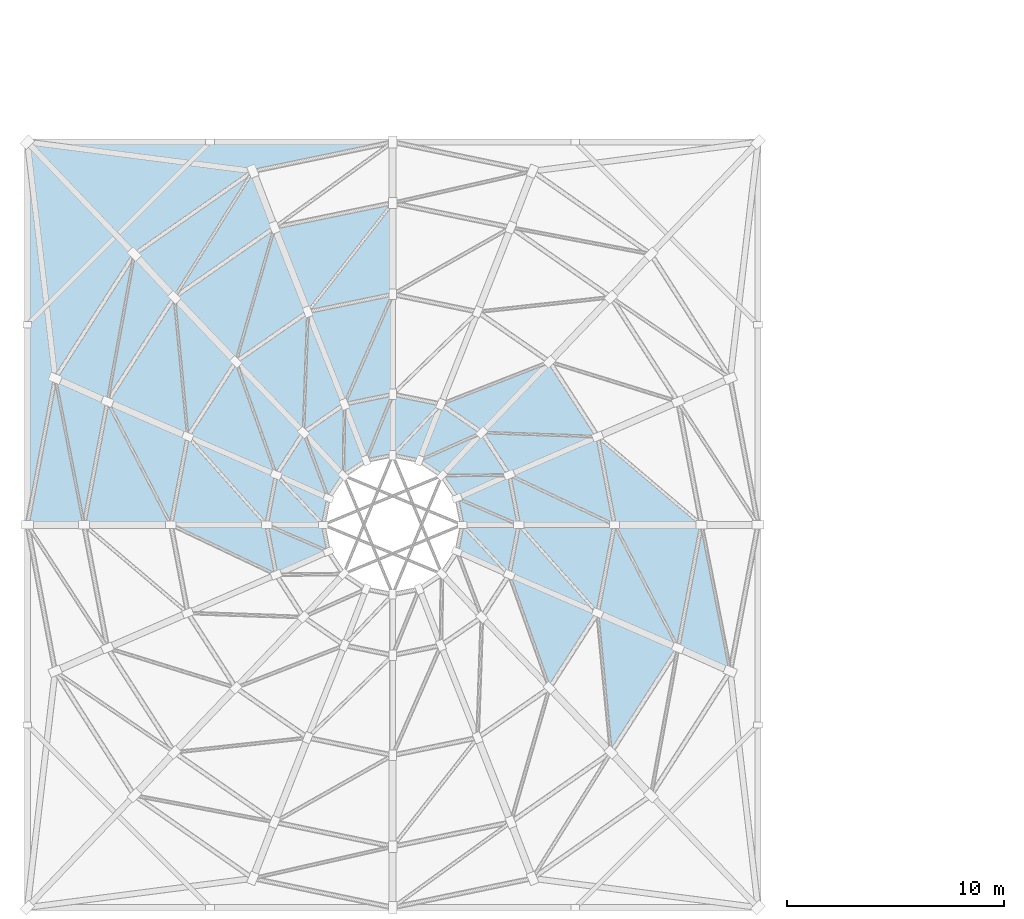
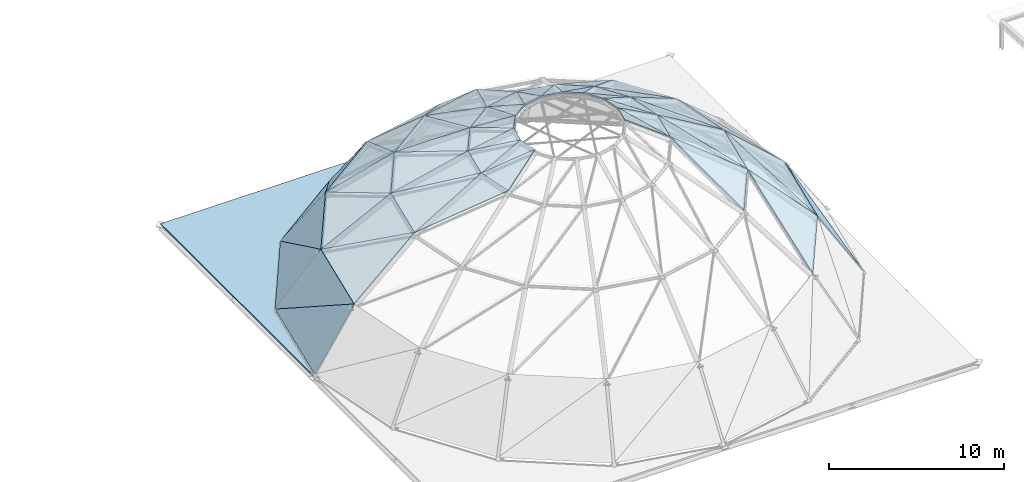
# One storey, part 40 of 49: 57 roofs.
"""IFC4 building model written with IfcOpenShell, lengths in metres."""

from ifc_helpers import new_model, si_unit, direction, frame, origin, place, context, subcontext, project, spatial, polyline, outline, extrude, material, layer, layer_set, type_object, element, save


model = new_model("IFC4")

# Units and contexts
model_context = context("Model", 3, precision=1e-05, world=origin(), true_north=direction((0.0, 1.0)))
body_context = subcontext(model_context, "Body", "Model", "MODEL_VIEW")
ifc_project = project(units=[si_unit("LENGTHUNIT", "METRE"), si_unit("AREAUNIT", "SQUARE_METRE"), si_unit("VOLUMEUNIT", "CUBIC_METRE"), si_unit("PLANEANGLEUNIT", "RADIAN"), si_unit("MASSUNIT", "GRAM", prefix="KILO")], contexts=[model_context])

# Site, building, storey
site_placement = place(None, origin())
site = spatial("IfcSite", under=ifc_project, at=site_placement, CompositionType="ELEMENT")
building_placement = place(site_placement, origin())
building = spatial("IfcBuilding", under=site, at=building_placement, Name="Kemercrest Conservatory and Botanical Centre", CompositionType="ELEMENT")
storey_placement = place(building_placement, frame((0.0, 0.0, 13.199951171875)))
storey = spatial("IfcBuildingStorey", under=building, at=storey_placement, Name="L03", CompositionType="ELEMENT", Elevation=13.199951171875)

# Roofs
ifc_material = material(Name="Low-iron laminated structural glass", Category="glass")
ifc_layer = layer(ifc_material, 0.080078125)
ifc_layer_set = layer_set([ifc_layer], Name="Low-iron laminated structural glass")
roof_type = type_object("IfcRoofType", Name="RF-DOME01", PredefinedType="DOME_ROOF", material=ifc_layer_set)
roof_1_placement = place(storey_placement, origin())
element("IfcRoof", 1, at=roof_1_placement, inside=storey, type_object=roof_type, Name="Conservatory dome pendentive deck NW", PredefinedType="DOME_ROOF", context=body_context, shape_type="SweptSolid", body=[
    extrude(outline(polyline([(8.0, 52.0), (24.800048828125, 52.0), (18.370849609375, 50.660400390625), (12.920654296875, 46.84521484375), (9.27880859375, 41.13525390625), (8.0, 34.39990234375), (8.0, 52.0)])), origin(), (0.0, 0.0, 1.0), 0.10009765625),
])
roof_2_placement = place(storey_placement, frame((18.370849609375, 50.660400390625, 0.280029296875), z_axis=(-0.47588131056, 0.679821742942, 0.558013777682), x_axis=(-0.819228472444, -0.573467270153, 0.0)))
element("IfcRoof", 2, at=roof_2_placement, inside=storey, type_object=roof_type, Name="Conservatory dome glass shell facet R0-05-T1", PredefinedType="DOME_ROOF", context=body_context, shape_type="SweptSolid", body=[
    extrude(outline(polyline([(0.0, 0.0), (6.6528392210755305, 2.220446049250313e-16), (6.282240872304034, 4.796129799650519), (0.0, 0.0)])), origin(), (0.0, 0.0, -1.0), 0.080078125),
])
roof_3_placement = place(storey_placement, frame((18.370849609375, 50.660400390625, 0.280029296875), z_axis=(-0.473387334931, 0.679767065683, 0.560197436214), x_axis=(-0.45697449261, -0.733216407401, 0.503555372349)))
element("IfcRoof", 3, at=roof_3_placement, inside=storey, type_object=roof_type, Name="Conservatory dome glass shell facet R0-05-T2", PredefinedType="DOME_ROOF", context=body_context, shape_type="SweptSolid", body=[
    extrude(outline(polyline([(0.0, 0.0), (7.903759322799694, -4.440892098500626e-16), (3.446165210199216, 3.412707496880186), (0.0, 0.0)])), origin(), (0.0, 0.0, -1.0), 0.080078125),
])
roof_4_placement = place(storey_placement, frame((12.920654296875, 46.84521484375, 0.280029296875), z_axis=(-0.705727009834, 0.450116718219, 0.547123685807), x_axis=(-0.537740594043, -0.843110344806, 0.0)))
element("IfcRoof", 4, at=roof_4_placement, inside=storey, type_object=roof_type, Name="Conservatory dome glass shell facet R0-06-T1", PredefinedType="DOME_ROOF", context=body_context, shape_type="SweptSolid", body=[
    extrude(outline(polyline([(0.0, 0.0), (6.772495406653733, -2.220446049250313e-16), (6.3842096641164945, 4.754760209782679), (0.0, 0.0)])), origin(), (0.0, 0.0, -1.0), 0.080078125),
])
roof_5_placement = place(storey_placement, frame((12.920654296875, 46.84521484375, 0.280029296875), z_axis=(-0.703480369007, 0.450982889736, 0.549299375192), x_axis=(-0.155741739549, -0.851917743097, 0.499980669185)))
element("IfcRoof", 5, at=roof_5_placement, inside=storey, type_object=roof_type, Name="Conservatory dome glass shell facet R0-06-T2", PredefinedType="DOME_ROOF", context=body_context, shape_type="SweptSolid", body=[
    extrude(outline(polyline([(0.0, 0.0), (7.960268694455674, 0.0), (3.390381461614867, 3.4125529645627664), (0.0, 0.0)])), origin(), (0.0, 0.0, -1.0), 0.080078125),
])
roof_6_placement = place(storey_placement, frame((9.27880859375, 41.13525390625, 0.280029296875), z_axis=(-0.82680158495, 0.156980814193, 0.540144576108), x_axis=(-0.186532785347, -0.982448736571, 0.0)))
element("IfcRoof", 6, at=roof_6_placement, inside=storey, type_object=roof_type, Name="Conservatory dome glass shell facet R0-07-T1", PredefinedType="DOME_ROOF", context=body_context, shape_type="SweptSolid", body=[
    extrude(outline(polyline([(0.0, 0.0), (6.855677361860026, 0.0), (6.3706739038647955, 4.729220231645052), (0.0, 0.0)])), origin(), (0.0, 0.0, -1.0), 0.080078125),
])
roof_7_placement = place(storey_placement, frame((9.27880859375, 41.13525390625, 0.280029296875), z_axis=(-0.826097089876, 0.157641787012, 0.541029264537), x_axis=(0.166531536388, -0.848904661101, 0.501625481559)))
element("IfcRoof", 7, at=roof_7_placement, inside=storey, type_object=roof_type, Name="Conservatory dome glass shell facet R0-07-T2", PredefinedType="DOME_ROOF", context=body_context, shape_type="SweptSolid", body=[
    extrude(outline(polyline([(0.0, 0.0), (7.934167252382873, 4.440892098500626e-16), (3.3061144883975984, 3.439203026865063), (0.0, 0.0)])), origin(), (0.0, 0.0, -1.0), 0.080078125),
])
roof_8_placement = place(storey_placement, frame((40.3212890625, 27.664794921875, 0.280029296875), z_axis=(0.826095387196, -0.15764825757, 0.541029978965), x_axis=(-0.166535886528, 0.848896064608, 0.501638585031)))
element("IfcRoof", 8, at=roof_8_placement, inside=storey, type_object=roof_type, Name="Conservatory dome glass shell facet R0-15-T2", PredefinedType="DOME_ROOF", context=body_context, shape_type="SweptSolid", body=[
    extrude(outline(polyline([(0.0, 0.0), (7.933960001317709, 4.440892098500626e-16), (3.3061678779991697, 3.439151702509907), (0.0, 0.0)])), origin(), (0.0, 0.0, -1.0), 0.080078125),
])
roof_9_placement = place(storey_placement, frame((39.0, 34.39990234375, 4.260009765625), z_axis=(0.663557833451, 0.127000536285, 0.737266481979), x_axis=(-0.660910932157, 0.561287831619, 0.498149284685)))
element("IfcRoof", 9, at=roof_9_placement, inside=storey, type_object=roof_type, Name="Conservatory dome glass shell facet R1-00-T2", PredefinedType="DOME_ROOF", context=body_context, shape_type="SweptSolid", body=[
    extrude(outline(polyline([(0.0, 0.0), (7.226945349372254, 4.440892098500626e-16), (4.437029800885663, 3.0452372125319362), (0.0, 0.0)])), origin(), (0.0, 0.0, -1.0), 0.080078125),
])
roof_10_placement = place(storey_placement, frame((24.800048828125, 49.199951171875, 4.260009765625), z_axis=(-0.133740048054, 0.645163846898, 0.752248104153), x_axis=(-0.979182696245, -0.202980903966, 0.0)))
element("IfcRoof", 10, at=roof_10_placement, inside=storey, type_object=roof_type, Name="Conservatory dome glass shell facet R1-04-T1", PredefinedType="DOME_ROOF", context=body_context, shape_type="SweptSolid", body=[
    extrude(outline(polyline([(0.0, 0.0), (5.549609947244837, 0.0), (4.83859485077897, 5.463966009163542), (0.0, 0.0)])), origin(), (0.0, 0.0, -1.0), 0.080078125),
])
roof_11_placement = place(storey_placement, frame((24.800048828125, 49.199951171875, 4.260009765625), z_axis=(-0.133323621174, 0.644995878653, 0.752466031498), x_axis=(-0.534850668068, -0.686016480126, 0.493270870682)))
element("IfcRoof", 11, at=roof_11_placement, inside=storey, type_object=roof_type, Name="Conservatory dome glass shell facet R1-04-T2", PredefinedType="DOME_ROOF", context=body_context, shape_type="SweptSolid", body=[
    extrude(outline(polyline([(0.0, 0.0), (7.298419327448878, 2.220446049250313e-16), (4.657059025067892, 2.985313085373898), (0.0, 0.0)])), origin(), (0.0, 0.0, -1.0), 0.080078125),
])
roof_12_placement = place(storey_placement, frame((19.365966796875, 48.073486328125, 4.260009765625), z_axis=(-0.379487414819, 0.544930181694, 0.747690042112), x_axis=(-0.82061879792, -0.571475973686, 0.0)))
element("IfcRoof", 12, at=roof_12_placement, inside=storey, type_object=roof_type, Name="Conservatory dome glass shell facet R1-05-T1", PredefinedType="DOME_ROOF", context=body_context, shape_type="SweptSolid", body=[
    extrude(outline(polyline([(0.0, 0.0), (5.613975216542434, 2.220446049250313e-16), (4.990229231678082, 5.421442801871376), (0.0, 0.0)])), origin(), (0.0, 0.0, -1.0), 0.080078125),
])
roof_13_placement = place(storey_placement, frame((19.365966796875, 48.073486328125, 4.260009765625), z_axis=(-0.37840750256, 0.544935751137, 0.748233111496), x_axis=(-0.241374823778, -0.838466889571, 0.488581077753)))
element("IfcRoof", 13, at=roof_13_placement, inside=storey, type_object=roof_type, Name="Conservatory dome glass shell facet R1-05-T2", PredefinedType="DOME_ROOF", context=body_context, shape_type="SweptSolid", body=[
    extrude(outline(polyline([(0.0, 0.0), (7.3684754080241985, 0.0), (4.643073863557657, 2.9668724465747944), (0.0, 0.0)])), origin(), (0.0, 0.0, -1.0), 0.080078125),
])
roof_14_placement = place(storey_placement, frame((14.759033203125, 44.865234375, 4.260009765625), z_axis=(-0.56484631136, 0.362108216486, 0.741502720222), x_axis=(-0.539694897582, -0.841860687717, 0.0)))
element("IfcRoof", 14, at=roof_14_placement, inside=storey, type_object=roof_type, Name="Conservatory dome glass shell facet R1-06-T1", PredefinedType="DOME_ROOF", context=body_context, shape_type="SweptSolid", body=[
    extrude(outline(polyline([(0.0, 0.0), (5.703453958508611, 0.0), (5.062206180978251, 5.365673153542355), (0.0, 0.0)])), origin(), (0.0, 0.0, -1.0), 0.080078125),
])
roof_15_placement = place(storey_placement, frame((14.759033203125, 44.865234375, 4.260009765625), z_axis=(-0.563863347178, 0.362512173225, 0.742053266264), x_axis=(0.083699730273, -0.868802538313, 0.48803330273)))
element("IfcRoof", 15, at=roof_15_placement, inside=storey, type_object=roof_type, Name="Conservatory dome glass shell facet R1-06-T2", PredefinedType="DOME_ROOF", context=body_context, shape_type="SweptSolid", body=[
    extrude(outline(polyline([(0.0, 0.0), (7.3767458821203515, 0.0), (4.574019369101891, 2.9764824741090092), (0.0, 0.0)])), origin(), (0.0, 0.0, -1.0), 0.080078125),
])
roof_16_placement = place(storey_placement, frame((11.680908203125, 40.063720703125, 4.260009765625), z_axis=(-0.663589446498, 0.126630909938, 0.737301606634), x_axis=(-0.187444805042, -0.98227513715, 0.0)))
element("IfcRoof", 16, at=roof_16_placement, inside=storey, type_object=roof_type, Name="Conservatory dome glass shell facet R1-07-T1", PredefinedType="DOME_ROOF", context=body_context, shape_type="SweptSolid", body=[
    extrude(outline(polyline([(0.0, 0.0), (5.766020277993268, -1.1102230246251565e-16), (5.016241057826424, 5.329027514992088), (0.0, 0.0)])), origin(), (0.0, 0.0, -1.0), 0.080078125),
])
roof_17_placement = place(storey_placement, frame((11.680908203125, 40.063720703125, 4.260009765625), z_axis=(-0.663268777271, 0.126945212863, 0.737536061511), x_axis=(0.398875257104, -0.773898727904, 0.491913903258)))
element("IfcRoof", 17, at=roof_17_placement, inside=storey, type_object=roof_type, Name="Conservatory dome glass shell facet R1-07-T2", PredefinedType="DOME_ROOF", context=body_context, shape_type="SweptSolid", body=[
    extrude(outline(polyline([(0.0, 0.0), (7.318552357247047, -6.661338147750939e-16), (4.488985939634551, 3.008430211355435), (0.0, 0.0)])), origin(), (0.0, 0.0, -1.0), 0.080078125),
])
roof_18_placement = place(storey_placement, frame((34.8408203125, 23.934814453125, 4.260009765625), z_axis=(0.564845351664, -0.362136321713, 0.741489725619), x_axis=(0.539725234225, 0.841841238917, 0.0)))
element("IfcRoof", 18, at=roof_18_placement, inside=storey, type_object=roof_type, Name="Conservatory dome glass shell facet R1-14-T1", PredefinedType="DOME_ROOF", context=body_context, shape_type="SweptSolid", body=[
    extrude(outline(polyline([(0.0, 0.0), (5.703585723661463, 0.0), (5.0619890452743865, 5.365558311187916), (0.0, 0.0)])), origin(), (0.0, 0.0, -1.0), 0.080078125),
])
roof_19_placement = place(storey_placement, frame((37.919189453125, 28.736328125, 4.260009765625), z_axis=(0.663588987789, -0.126636281099, 0.737301096971), x_axis=(0.187452601335, 0.982273649373, 0.0)))
element("IfcRoof", 19, at=roof_19_placement, inside=storey, type_object=roof_type, Name="Conservatory dome glass shell facet R1-15-T1", PredefinedType="DOME_ROOF", context=body_context, shape_type="SweptSolid", body=[
    extrude(outline(polyline([(0.0, 0.0), (5.765780464908971, -1.1102230246251565e-16), (5.015970059568078, 5.3290231272325395), (0.0, 0.0)])), origin(), (0.0, 0.0, -1.0), 0.080078125),
])
roof_20_placement = place(storey_placement, frame((37.919189453125, 28.736328125, 4.260009765625), z_axis=(0.663272988574, -0.126946018878, 0.737532135516), x_axis=(-0.398885554883, 0.773885347676, 0.491926603019)))
element("IfcRoof", 20, at=roof_20_placement, inside=storey, type_object=roof_type, Name="Conservatory dome glass shell facet R1-15-T2", PredefinedType="DOME_ROOF", context=body_context, shape_type="SweptSolid", body=[
    extrude(outline(polyline([(0.0, 0.0), (7.318363418761237, 2.220446049250313e-16), (4.488859271516093, 3.008488778273745), (0.0, 0.0)])), origin(), (0.0, 0.0, -1.0), 0.080078125),
])
roof_21_placement = place(storey_placement, frame((35.0, 34.39990234375, 7.860107421875), z_axis=(0.50613766514, 0.096871367749, 0.856995100358), x_axis=(-0.187981276325, 0.982172611994, 0.0)))
element("IfcRoof", 21, at=roof_21_placement, inside=storey, type_object=roof_type, Name="Conservatory dome glass shell facet R2-00-T1", PredefinedType="DOME_ROOF", context=body_context, shape_type="SweptSolid", body=[
    extrude(outline(polyline([(0.0, 0.0), (4.130024025145195, 1.1102230246251565e-16), (3.165329615870712, 5.045079815464965), (0.0, 0.0)])), origin(), (0.0, 0.0, -1.0), 0.080078125),
])
roof_22_placement = place(storey_placement, frame((35.0, 34.39990234375, 7.860107421875), z_axis=(0.506298461136, 0.097383723147, 0.856842038369), x_axis=(-0.812907180776, 0.385527307508, 0.436521031117)))
element("IfcRoof", 22, at=roof_22_placement, inside=storey, type_object=roof_type, Name="Conservatory dome glass shell facet R2-00-T2", PredefinedType="DOME_ROOF", context=body_context, shape_type="SweptSolid", body=[
    extrude(outline(polyline([(0.0, 0.0), (5.955849387074881, 1.1102230246251565e-16), (4.711602947343075, 1.979691037468338), (0.0, 0.0)])), origin(), (0.0, 0.0, -1.0), 0.080078125),
])
roof_23_placement = place(storey_placement, frame((34.2236328125, 38.456298828125, 7.860107421875), z_axis=(0.429612739434, 0.276231902673, 0.859726020347), x_axis=(-0.540830022219, 0.841131908245, 0.0)))
element("IfcRoof", 23, at=roof_23_placement, inside=storey, type_object=roof_type, Name="Conservatory dome glass shell facet R2-01-T1", PredefinedType="DOME_ROOF", context=body_context, shape_type="SweptSolid", body=[
    extrude(outline(polyline([(0.0, 0.0), (4.088496477237754, 0.0), (3.0352585352483894, 5.090211597618238), (0.0, 0.0)])), origin(), (0.0, 0.0, -1.0), 0.080078125),
])
roof_24_placement = place(storey_placement, frame((34.2236328125, 38.456298828125, 7.860107421875), z_axis=(0.42949553237, 0.277424055149, 0.859400652373), x_axis=(-0.898091043651, 0.031431744705, 0.438684992608)))
element("IfcRoof", 24, at=roof_24_placement, inside=storey, type_object=roof_type, Name="Conservatory dome glass shell facet R2-01-T2", PredefinedType="DOME_ROOF", context=body_context, shape_type="SweptSolid", body=[
    extrude(outline(polyline([(0.0, 0.0), (5.926470153837393, 0.0), (4.736095599313106, 1.9881811089195267), (0.0, 0.0)])), origin(), (0.0, 0.0, -1.0), 0.080078125),
])
roof_25_placement = place(storey_placement, frame((32.012451171875, 41.895263671875, 7.860107421875), z_axis=(0.287109671269, 0.415306726064, 0.863185009109), x_axis=(-0.838011736516, -0.327607639404, 0.436359443654)))
element("IfcRoof", 25, at=roof_25_placement, inside=storey, type_object=roof_type, Name="Conservatory dome glass shell facet R2-02-T2", PredefinedType="DOME_ROOF", context=body_context, shape_type="SweptSolid", body=[
    extrude(outline(polyline([(0.0, 0.0), (5.958054886716219, -1.1102230246251565e-16), (4.807404752295787, 1.976973398550697), (0.0, 0.0)])), origin(), (0.0, 0.0, -1.0), 0.080078125),
])
roof_26_placement = place(storey_placement, frame((24.800048828125, 45.0, 7.860107421875), z_axis=(-0.101220273432, 0.489685613283, 0.8660037277), x_axis=(-0.979297696585, -0.202425347878, 0.0)))
element("IfcRoof", 26, at=roof_26_placement, inside=storey, type_object=roof_type, Name="Conservatory dome glass shell facet R2-04-T1", PredefinedType="DOME_ROOF", context=body_context, shape_type="SweptSolid", body=[
    extrude(outline(polyline([(0.0, 0.0), (3.9860856067950663, -1.1102230246251565e-16), (3.197365347311914, 5.1993166436739635), (0.0, 0.0)])), origin(), (0.0, 0.0, -1.0), 0.080078125),
])
roof_27_placement = place(storey_placement, frame((24.800048828125, 45.0, 7.860107421875), z_axis=(-0.100683842533, 0.489528072892, 0.866155315), x_axis=(-0.363664694693, -0.828445133798, 0.425942073668)))
element("IfcRoof", 27, at=roof_27_placement, inside=storey, type_object=roof_type, Name="Conservatory dome glass shell facet R2-04-T2", PredefinedType="DOME_ROOF", context=body_context, shape_type="SweptSolid", body=[
    extrude(outline(polyline([(0.0, 0.0), (6.103772499477363, -2.220446049250313e-16), (4.918315515992643, 1.9314008478020401), (0.0, 0.0)])), origin(), (0.0, 0.0, -1.0), 0.080078125),
])
roof_28_placement = place(storey_placement, frame((20.896484375, 44.193115234375, 7.860107421875), z_axis=(-0.287904547066, 0.414604571922, 0.863257795053), x_axis=(-0.821384161354, -0.570375367173, 0.0)))
element("IfcRoof", 28, at=roof_28_placement, inside=storey, type_object=roof_type, Name="Conservatory dome glass shell facet R2-05-T1", PredefinedType="DOME_ROOF", context=body_context, shape_type="SweptSolid", body=[
    extrude(outline(polyline([(0.0, 0.0), (4.028665497757951, 2.220446049250313e-16), (3.328321568205454, 5.15063905271105), (0.0, 0.0)])), origin(), (0.0, 0.0, -1.0), 0.080078125),
])
roof_29_placement = place(storey_placement, frame((20.896484375, 44.193115234375, 7.860107421875), z_axis=(-0.286705611099, 0.414722249388, 0.863600224888), x_axis=(-0.032247187264, -0.90511086721, 0.423950984162)))
element("IfcRoof", 29, at=roof_29_placement, inside=storey, type_object=roof_type, Name="Conservatory dome glass shell facet R2-05-T2", PredefinedType="DOME_ROOF", context=body_context, shape_type="SweptSolid", body=[
    extrude(outline(polyline([(0.0, 0.0), (6.1324389204209595, 1.1102230246251565e-16), (4.894411632155196, 1.9234624987059599), (0.0, 0.0)])), origin(), (0.0, 0.0, -1.0), 0.080078125),
])
roof_30_placement = place(storey_placement, frame((17.58740234375, 41.895263671875, 7.860107421875), z_axis=(-0.42998977055, 0.276443799667, 0.859469384474), x_axis=(-0.540787772319, -0.841159072536, 0.0)))
element("IfcRoof", 30, at=roof_30_placement, inside=storey, type_object=roof_type, Name="Conservatory dome glass shell facet R2-06-T1", PredefinedType="DOME_ROOF", context=body_context, shape_type="SweptSolid", body=[
    extrude(outline(polyline([(0.0, 0.0), (4.088364443815487, 0.0), (3.3707473793310294, 5.085912553532798), (0.0, 0.0)])), origin(), (0.0, 0.0, -1.0), 0.080078125),
])
roof_31_placement = place(storey_placement, frame((17.58740234375, 41.895263671875, 7.860107421875), z_axis=(-0.428877414781, 0.277024794446, 0.859838023324), x_axis=(0.303859766733, -0.852119777765, 0.42609990202)))
element("IfcRoof", 31, at=roof_31_placement, inside=storey, type_object=roof_type, Name="Conservatory dome glass shell facet R2-06-T2", PredefinedType="DOME_ROOF", context=body_context, shape_type="SweptSolid", body=[
    extrude(outline(polyline([(0.0, 0.0), (6.101511648554766, -2.220446049250313e-16), (4.824882451912183, 1.9339269883330872), (0.0, 0.0)])), origin(), (0.0, 0.0, -1.0), 0.080078125),
])
roof_32_placement = place(storey_placement, frame((15.37646484375, 38.456298828125, 7.860107421875), z_axis=(-0.506322148506, 0.096906676633, 0.856882126057), x_axis=(-0.187981276325, -0.982172611994, 0.0)))
element("IfcRoof", 32, at=roof_32_placement, inside=storey, type_object=roof_type, Name="Conservatory dome glass shell facet R2-07-T1", PredefinedType="DOME_ROOF", context=body_context, shape_type="SweptSolid", body=[
    extrude(outline(polyline([(0.0, 0.0), (4.130024025145195, 0.0), (3.3029247668614, 5.043241591892145), (0.0, 0.0)])), origin(), (0.0, 0.0, -1.0), 0.080078125),
])
roof_33_placement = place(storey_placement, frame((15.37646484375, 38.456298828125, 7.860107421875), z_axis=(-0.50601172066, 0.097274767778, 0.857023779197), x_axis=(0.601060959946, -0.672862676829, 0.431255771625)))
element("IfcRoof", 33, at=roof_33_placement, inside=storey, type_object=roof_type, Name="Conservatory dome glass shell facet R2-07-T2", PredefinedType="DOME_ROOF", context=body_context, shape_type="SweptSolid", body=[
    extrude(outline(polyline([(0.0, 0.0), (6.028565150161125, -7.771561172376096e-16), (4.748888573014019, 1.9569205590719947), (0.0, 0.0)])), origin(), (0.0, 0.0, -1.0), 0.080078125),
])
roof_34_placement = place(storey_placement, frame((14.60009765625, 34.39990234375, 7.860107421875), z_axis=(-0.506300604614, -0.097340652184, 0.856845665917), x_axis=(0.812906123408, -0.385505253885, 0.436542476459)))
element("IfcRoof", 34, at=roof_34_placement, inside=storey, type_object=roof_type, Name="Conservatory dome glass shell facet R2-08-T2", PredefinedType="DOME_ROOF", context=body_context, shape_type="SweptSolid", body=[
    extrude(outline(polyline([(0.0, 0.0), (5.955556803350986, 0.0), (4.711654049773587, 1.979569410881207), (0.0, 0.0)])), origin(), (0.0, 0.0, -1.0), 0.080078125),
])
roof_35_placement = place(storey_placement, frame((32.012451171875, 26.90478515625, 7.860107421875), z_axis=(0.429946745069, -0.276466288256, 0.859483675158), x_axis=(0.540857187776, 0.841114440745, 0.0)))
element("IfcRoof", 35, at=roof_35_placement, inside=storey, type_object=roof_type, Name="Conservatory dome glass shell facet R2-14-T1", PredefinedType="DOME_ROOF", context=body_context, shape_type="SweptSolid", body=[
    extrude(outline(polyline([(0.0, 0.0), (4.088291124900178, 0.0), (3.370386632358548, 5.086151624349033), (0.0, 0.0)])), origin(), (0.0, 0.0, -1.0), 0.080078125),
])
roof_36_placement = place(storey_placement, frame((34.2236328125, 30.343505859375, 7.860107421875), z_axis=(0.506322148506, -0.096906676633, 0.856882126057), x_axis=(0.187981276325, 0.982172611994, 0.0)))
element("IfcRoof", 36, at=roof_36_placement, inside=storey, type_object=roof_type, Name="Conservatory dome glass shell facet R2-15-T1", PredefinedType="DOME_ROOF", context=body_context, shape_type="SweptSolid", body=[
    extrude(outline(polyline([(0.0, 0.0), (4.130024025145195, 0.0), (3.3029247668614, 5.043241591892145), (0.0, 0.0)])), origin(), (0.0, 0.0, -1.0), 0.080078125),
])
roof_37_placement = place(storey_placement, frame((34.2236328125, 30.343505859375, 7.860107421875), z_axis=(0.505965159187, -0.097329963098, 0.857045002303), x_axis=(-0.601060959946, 0.672862676829, 0.431255771625)))
element("IfcRoof", 37, at=roof_37_placement, inside=storey, type_object=roof_type, Name="Conservatory dome glass shell facet R2-15-T2", PredefinedType="DOME_ROOF", context=body_context, shape_type="SweptSolid", body=[
    extrude(outline(polyline([(0.0, 0.0), (6.028565150161126, -2.220446049250313e-16), (4.749199589526905, 1.9568925532888204), (0.0, 0.0)])), origin(), (0.0, 0.0, -1.0), 0.080078125),
])
roof_38_placement = place(storey_placement, frame((30.60009765625, 34.39990234375, 10.4599609375), z_axis=(0.471035816307, 0.090601147443, 0.877448968225), x_axis=(-0.188882247354, 0.981999743704, 0.0)))
element("IfcRoof", 38, at=roof_38_placement, inside=storey, type_object=roof_type, Name="Conservatory dome glass shell facet R3-00-T1", PredefinedType="DOME_ROOF", context=body_context, shape_type="SweptSolid", body=[
    extrude(outline(polyline([(0.0, 0.0), (2.338231341552357, 0.0), (1.739699983299237, 2.918978644946584), (0.0, 0.0)])), origin(), (0.0, 0.0, -1.0), 0.080078125),
])
roof_39_placement = place(storey_placement, frame((30.60009765625, 34.39990234375, 10.4599609375), z_axis=(0.472028882461, 0.093916432356, 0.876566276933), x_axis=(-0.836868025114, 0.360382041035, 0.41203967411)))
element("IfcRoof", 39, at=roof_39_placement, inside=storey, type_object=roof_type, Name="Conservatory dome glass shell facet R3-00-T2", PredefinedType="DOME_ROOF", context=body_context, shape_type="SweptSolid", body=[
    extrude(outline(polyline([(0.0, 0.0), (3.3980865735801324, 0.0), (2.75285449181862, 1.0689762142435462), (0.0, 0.0)])), origin(), (0.0, 0.0, -1.0), 0.080078125),
])
roof_40_placement = place(storey_placement, frame((30.158447265625, 36.696044921875, 10.4599609375), z_axis=(0.396085386849, 0.255843439392, 0.88185061141), x_axis=(-0.542582738644, 0.840002364119, 0.0)))
element("IfcRoof", 40, at=roof_40_placement, inside=storey, type_object=roof_type, Name="Conservatory dome glass shell facet R3-01-T1", PredefinedType="DOME_ROOF", context=body_context, shape_type="SweptSolid", body=[
    extrude(outline(polyline([(0.0, 0.0), (2.317294910434011, 0.0), (1.651579297394198, 2.9693757862283303), (0.0, 0.0)])), origin(), (0.0, 0.0, -1.0), 0.080078125),
])
roof_41_placement = place(storey_placement, frame((30.158447265625, 36.696044921875, 10.4599609375), z_axis=(0.395108097802, 0.263993910126, 0.879884541555), x_axis=(-0.911095897621, -0.009843859462, 0.412076890604)))
element("IfcRoof", 41, at=roof_41_placement, inside=storey, type_object=roof_type, Name="Conservatory dome glass shell facet R3-01-T2", PredefinedType="DOME_ROOF", context=body_context, shape_type="SweptSolid", body=[
    extrude(outline(polyline([(0.0, 0.0), (3.39777967729225, -5.551115123125783e-17), (2.7760591317088994, 1.0826688384368297), (0.0, 0.0)])), origin(), (0.0, 0.0, -1.0), 0.080078125),
])
roof_42_placement = place(storey_placement, frame((28.901123046875, 38.642578125, 10.4599609375), z_axis=(0.262270253168, 0.379376284002, 0.887292482466), x_axis=(-0.822572395755, 0.568660402826, 0.0)))
element("IfcRoof", 42, at=roof_42_placement, inside=storey, type_object=roof_type, Name="Conservatory dome glass shell facet R3-02-T1", PredefinedType="DOME_ROOF", context=body_context, shape_type="SweptSolid", body=[
    extrude(outline(polyline([(0.0, 0.0), (2.287448261801533, 0.0), (1.6347277745834334, 3.0358298518579794), (0.0, 0.0)])), origin(), (0.0, 0.0, -1.0), 0.080078125),
])
roof_43_placement = place(storey_placement, frame((28.901123046875, 38.642578125, 10.4599609375), z_axis=(0.258247050227, 0.386371026589, 0.8854523651), x_axis=(-0.834245270589, -0.373010022531, 0.406076780413)))
element("IfcRoof", 43, at=roof_43_placement, inside=storey, type_object=roof_type, Name="Conservatory dome glass shell facet R3-02-T2", PredefinedType="DOME_ROOF", context=body_context, shape_type="SweptSolid", body=[
    extrude(outline(polyline([(0.0, 0.0), (3.447984597765272, 2.220446049250313e-16), (2.8407784438318684, 1.0910305542670544), (0.0, 0.0)])), origin(), (0.0, 0.0, -1.0), 0.080078125),
])
roof_44_placement = place(storey_placement, frame((27.01953125, 39.943359375, 10.4599609375), z_axis=(0.091616813595, 0.445394894329, 0.890634463499), x_axis=(-0.979492703866, 0.201479634389, 0.0)))
element("IfcRoof", 44, at=roof_44_placement, inside=storey, type_object=roof_type, Name="Conservatory dome glass shell facet R3-03-T1", PredefinedType="DOME_ROOF", context=body_context, shape_type="SweptSolid", body=[
    extrude(outline(polyline([(0.0, 0.0), (2.265950949011734, 0.0), (1.7018473242139862, 3.0791400692960833), (0.0, 0.0)])), origin(), (0.0, 0.0, -1.0), 0.080078125),
])
roof_45_placement = place(storey_placement, frame((27.01953125, 39.943359375, 10.4599609375), z_axis=(0.08901818229, 0.447410022411, 0.88988765306), x_axis=(-0.630866126649, -0.666049178702, 0.397977916218)))
element("IfcRoof", 45, at=roof_45_placement, inside=storey, type_object=roof_type, Name="Conservatory dome glass shell facet R3-03-T2", PredefinedType="DOME_ROOF", context=body_context, shape_type="SweptSolid", body=[
    extrude(outline(polyline([(0.0, 0.0), (3.51815120216272, -2.7755575615628914e-16), (2.9078710725415498, 1.0893083811953008), (0.0, 0.0)])), origin(), (0.0, 0.0, -1.0), 0.080078125),
])
roof_46_placement = place(storey_placement, frame((24.800048828125, 40.39990234375, 10.4599609375), z_axis=(-0.091820583072, 0.446434621012, 0.890092753417), x_axis=(-0.979497076902, -0.201458373714, 0.0)))
element("IfcRoof", 46, at=roof_46_placement, inside=storey, type_object=roof_type, Name="Conservatory dome glass shell facet R3-04-T1", PredefinedType="DOME_ROOF", context=body_context, shape_type="SweptSolid", body=[
    extrude(outline(polyline([(0.0, 0.0), (2.266190083506485, -5.551115123125783e-17), (1.8126312071439286, 3.071982602001283), (0.0, 0.0)])), origin(), (0.0, 0.0, -1.0), 0.080078125),
])
roof_47_placement = place(storey_placement, frame((24.800048828125, 40.39990234375, 10.4599609375), z_axis=(-0.088641209757, 0.445515338818, 0.890875310473), x_axis=(-0.343326861063, -0.853252123207, 0.392539782335)))
element("IfcRoof", 47, at=roof_47_placement, inside=storey, type_object=roof_type, Name="Conservatory dome glass shell facet R3-04-T2", PredefinedType="DOME_ROOF", context=body_context, shape_type="SweptSolid", body=[
    extrude(outline(polyline([(0.0, 0.0), (3.566890662763667, -1.1102230246251565e-16), (2.9385524903881066, 1.0789929226313304), (0.0, 0.0)])), origin(), (0.0, 0.0, -1.0), 0.080078125),
])
roof_48_placement = place(storey_placement, frame((22.580322265625, 39.943359375, 10.4599609375), z_axis=(-0.263767740383, 0.38154241275, 0.885918713205), x_axis=(-0.822572395755, -0.568660402826, 0.0)))
element("IfcRoof", 48, at=roof_48_placement, inside=storey, type_object=roof_type, Name="Conservatory dome glass shell facet R3-05-T1", PredefinedType="DOME_ROOF", context=body_context, shape_type="SweptSolid", body=[
    extrude(outline(polyline([(0.0, 0.0), (2.287448261801533, 1.1102230246251565e-16), (1.9009841881910197, 3.0185945508874528), (0.0, 0.0)])), origin(), (0.0, 0.0, -1.0), 0.080078125),
])
roof_49_placement = place(storey_placement, frame((22.580322265625, 39.943359375, 10.4599609375), z_axis=(-0.255539257695, 0.38231981834, 0.887992817697), x_axis=(-0.012045162552, -0.919675536247, 0.392494359308)))
element("IfcRoof", 49, at=roof_49_placement, inside=storey, type_object=roof_type, Name="Conservatory dome glass shell facet R3-05-T2", PredefinedType="DOME_ROOF", context=body_context, shape_type="SweptSolid", body=[
    extrude(outline(polyline([(0.0, 0.0), (3.567303455889293, 0.0), (2.916684826693428, 1.0657121483131202), (0.0, 0.0)])), origin(), (0.0, 0.0, -1.0), 0.080078125),
])
roof_50_placement = place(storey_placement, frame((20.69873046875, 38.642578125, 10.4599609375), z_axis=(-0.398376476054, 0.257323322673, 0.880386784848), x_axis=(-0.542582738644, -0.840002364119, 0.0)))
element("IfcRoof", 50, at=roof_50_placement, inside=storey, type_object=roof_type, Name="Conservatory dome glass shell facet R3-06-T1", PredefinedType="DOME_ROOF", context=body_context, shape_type="SweptSolid", body=[
    extrude(outline(polyline([(0.0, 0.0), (2.317294910434011, 0.0), (1.9140475497394709, 2.9522987116075186), (0.0, 0.0)])), origin(), (0.0, 0.0, -1.0), 0.080078125),
])
roof_51_placement = place(storey_placement, frame((20.69873046875, 38.642578125, 10.4599609375), z_axis=(-0.390824686865, 0.26122383821, 0.882620060098), x_axis=(0.32536151146, -0.857777565508, 0.397941622568)))
element("IfcRoof", 51, at=roof_51_placement, inside=storey, type_object=roof_type, Name="Conservatory dome glass shell facet R3-06-T2", PredefinedType="DOME_ROOF", context=body_context, shape_type="SweptSolid", body=[
    extrude(outline(polyline([(0.0, 0.0), (3.5184720696948957, 1.1102230246251565e-16), (2.853776563598622, 1.0569895306455455), (0.0, 0.0)])), origin(), (0.0, 0.0, -1.0), 0.080078125),
])
roof_52_placement = place(storey_placement, frame((19.44140625, 36.696044921875, 10.4599609375), z_axis=(-0.472167292929, 0.090768576886, 0.876823307707), x_axis=(-0.18878155693, -0.9820191056, 0.0)))
element("IfcRoof", 52, at=roof_52_placement, inside=storey, type_object=roof_type, Name="Conservatory dome glass shell facet R3-07-T1", PredefinedType="DOME_ROOF", context=body_context, shape_type="SweptSolid", body=[
    extrude(outline(polyline([(0.0, 0.0), (2.3381852400136274, 0.0), (1.8473347562972848, 2.912041174568081), (0.0, 0.0)])), origin(), (0.0, 0.0, -1.0), 0.080078125),
])
roof_53_placement = place(storey_placement, frame((19.44140625, 36.696044921875, 10.4599609375), z_axis=(-0.469950672915, 0.093409254565, 0.877736336372), x_axis=(0.625967258635, -0.665824707923, 0.406007942577)))
element("IfcRoof", 53, at=roof_53_placement, inside=storey, type_object=roof_type, Name="Conservatory dome glass shell facet R3-07-T2", PredefinedType="DOME_ROOF", context=body_context, shape_type="SweptSolid", body=[
    extrude(outline(polyline([(0.0, 0.0), (3.448569196667482, -1.6653345369377348e-16), (2.785559582877118, 1.0579857875737197), (0.0, 0.0)])), origin(), (0.0, 0.0, -1.0), 0.080078125),
])
roof_54_placement = place(storey_placement, frame((19.0, 34.39990234375, 10.4599609375), z_axis=(-0.471056865833, -0.090564739837, 0.877441426563), x_axis=(0.188800915993, -0.982015383851, 0.0)))
element("IfcRoof", 54, at=roof_54_placement, inside=storey, type_object=roof_type, Name="Conservatory dome glass shell facet R3-08-T1", PredefinedType="DOME_ROOF", context=body_context, shape_type="SweptSolid", body=[
    extrude(outline(polyline([(0.0, 0.0), (2.3379454897097163, -5.551115123125783e-17), (1.7394417563409617, 2.918894696223725), (0.0, 0.0)])), origin(), (0.0, 0.0, -1.0), 0.080078125),
])
roof_55_placement = place(storey_placement, frame((19.0, 34.39990234375, 10.4599609375), z_axis=(-0.472033052204, -0.093823156509, 0.876574020223), x_axis=(0.836846494232, -0.360403710403, 0.412064449594)))
element("IfcRoof", 55, at=roof_55_placement, inside=storey, type_object=roof_type, Name="Conservatory dome glass shell facet R3-08-T2", PredefinedType="DOME_ROOF", context=body_context, shape_type="SweptSolid", body=[
    extrude(outline(polyline([(0.0, 0.0), (3.3978822627256413, -1.6653345369377348e-16), (2.752833198728469, 1.0690310471276332), (0.0, 0.0)])), origin(), (0.0, 0.0, -1.0), 0.080078125),
])
roof_56_placement = place(storey_placement, frame((30.158447265625, 32.10400390625, 10.4599609375), z_axis=(0.472164726571, -0.090827944531, 0.876818541931), x_axis=(0.188901615979, 0.981996018057, 0.0)))
element("IfcRoof", 56, at=roof_56_placement, inside=storey, type_object=roof_type, Name="Conservatory dome glass shell facet R3-15-T1", PredefinedType="DOME_ROOF", context=body_context, shape_type="SweptSolid", body=[
    extrude(outline(polyline([(0.0, 0.0), (2.3379915959759474, -5.551115123125783e-17), (1.8468289470073094, 2.9119885391262326), (0.0, 0.0)])), origin(), (0.0, 0.0, -1.0), 0.080078125),
])
roof_57_placement = place(storey_placement, frame((30.158447265625, 32.10400390625, 10.4599609375), z_axis=(0.469923708645, -0.09349757999, 0.877741368849), x_axis=(-0.625953708138, 0.665814802774, 0.406045075916)))
element("IfcRoof", 57, at=roof_57_placement, inside=storey, type_object=roof_type, Name="Conservatory dome glass shell facet R3-15-T2", PredefinedType="DOME_ROOF", context=body_context, shape_type="SweptSolid", body=[
    extrude(outline(polyline([(0.0, 0.0), (3.448253820632503, 2.220446049250313e-16), (2.7854058592081357, 1.05814326345175), (0.0, 0.0)])), origin(), (0.0, 0.0, -1.0), 0.080078125),
])

save(model, "model.ifc")
